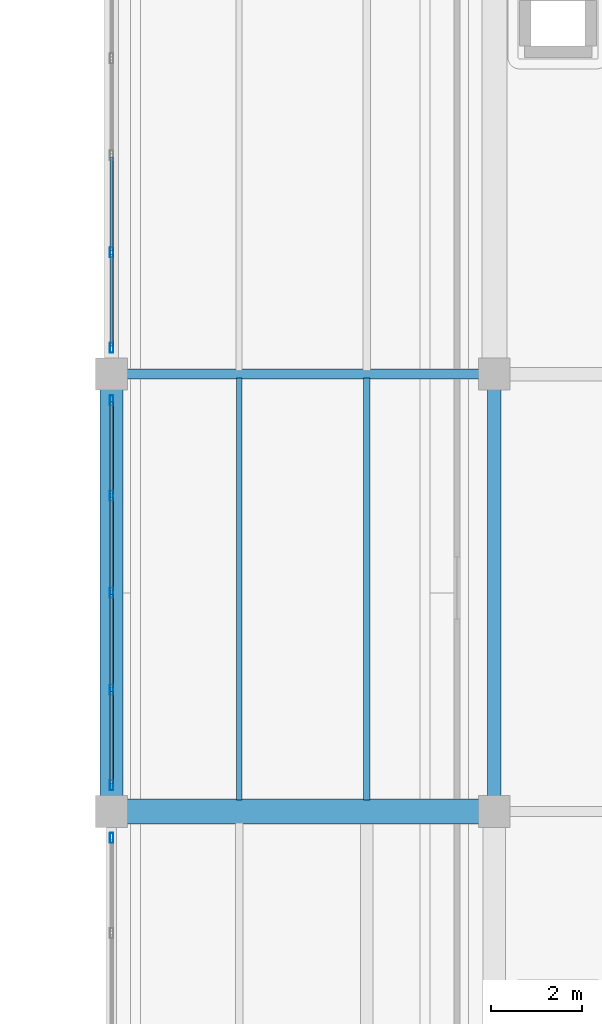
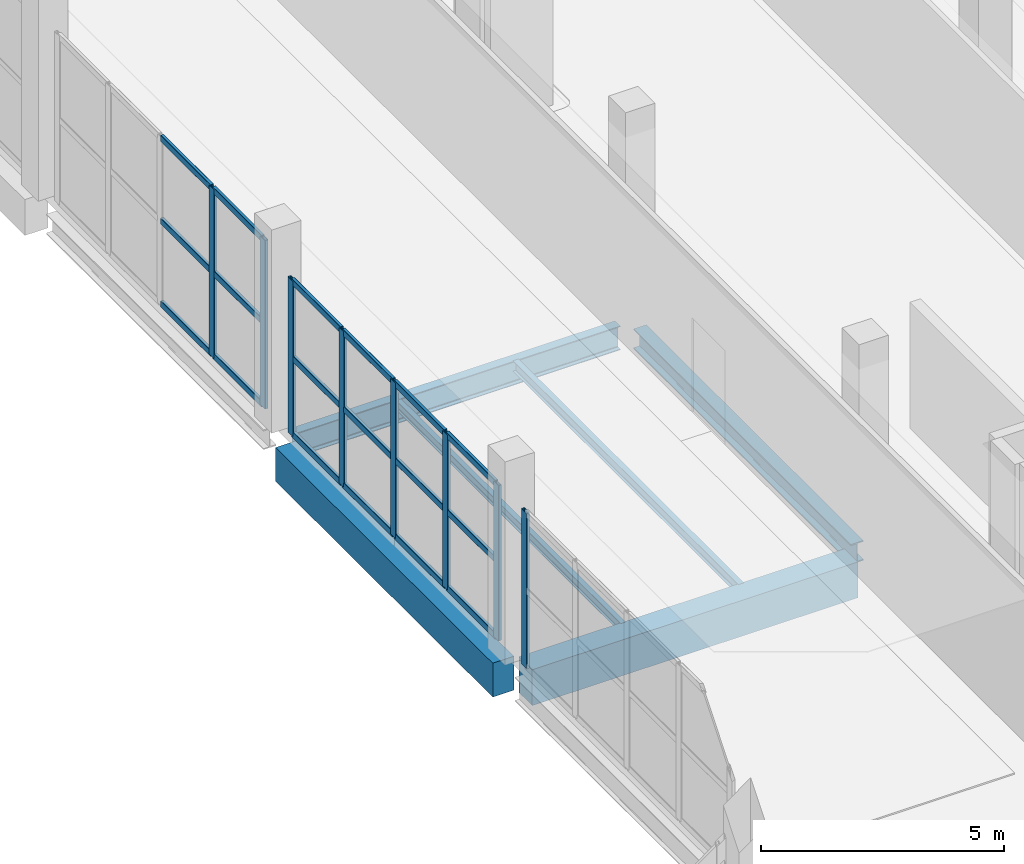
# One storey, part 25 of 73: 26 members, 6 beams, 3 elements without a shape of their own.
"""IFC4 building model written with IfcOpenShell, lengths in metres."""

from ifc_helpers import new_model, si_unit, direction, frame, origin, origin_2d, place, context, subcontext, project, spatial, rectangle, hollow_rectangle, i_section, extrude, material, layer, layer_set, material_profile, profile_set, type_object, element, aggregate, save


model = new_model("IFC4")

# Units and contexts
model_context = context("Model", 3, precision=1e-05, world=origin(), true_north=direction((0.0, 1.0)))
body_context = subcontext(model_context, "Body", "Model", "MODEL_VIEW")
ifc_project = project(units=[si_unit("LENGTHUNIT", "METRE"), si_unit("AREAUNIT", "SQUARE_METRE"), si_unit("VOLUMEUNIT", "CUBIC_METRE"), si_unit("PLANEANGLEUNIT", "RADIAN"), si_unit("MASSUNIT", "GRAM", prefix="KILO")], contexts=[model_context])

# Site, building, storey
site_placement = place(None, origin())
site = spatial("IfcSite", under=ifc_project, at=site_placement, CompositionType="ELEMENT")
building_placement = place(site_placement, origin())
building = spatial("IfcBuilding", under=site, at=building_placement, Name="Zulmaris Art Gallery", CompositionType="ELEMENT")
storey_placement = place(building_placement, frame((0.0, 0.0, 10.5)))
storey = spatial("IfcBuildingStorey", under=building, at=storey_placement, Name="L02", CompositionType="ELEMENT", Elevation=10.5)

# Beams
ifc_material_1 = material(Name="Steel S355J2", Category="steel")
ifc_material_profile_1 = material_profile(ifc_material_1, i_section(OverallWidth=0.219970703125, OverallDepth=0.60009765625, WebThickness=0.011962890625, FlangeThickness=0.01904296875, FilletRadius=0.02392578125, at=origin_2d()), Name="IPE 600")
ifc_profile_set_1 = profile_set([ifc_material_profile_1], Name="Steel S355J2")
beam_type_1 = type_object("IfcBeamType", Name="BEAM-BM07", PredefinedType="BEAM", material=ifc_profile_set_1)
beam_1_placement = place(storey_placement, frame((125.135009765625, 40.800048828125, -0.699951171875), z_axis=(1.0, 0.0, 0.0), x_axis=(0.0, 1.0, 0.0)))
element("IfcBeam", 1, at=beam_1_placement, inside=storey, type_object=beam_type_1, Name="L02 X-girder (124.8..133.2, y=40.8)", PredefinedType="BEAM", context=body_context, shape_type="SweptSolid", body=[
    extrude(i_section(OverallWidth=0.219970703125, OverallDepth=0.60009765625, WebThickness=0.011962890625, FlangeThickness=0.01904296875, FilletRadius=0.02392578125, at=origin_2d()), origin(), (0.0, 0.0, 1.0), 7.72998046875),
])
ifc_material_profile_2 = material_profile(ifc_material_1, i_section(OverallWidth=0.300048828125, OverallDepth=0.5, WebThickness=0.014404296875, FlangeThickness=0.028076171875, FilletRadius=0.027099609375, at=origin_2d()), Name="HEB 500")
ifc_profile_set_2 = profile_set([ifc_material_profile_2], Name="Steel S355J2")
beam_type_2 = type_object("IfcBeamType", Name="BEAM-BM14", PredefinedType="BEAM", material=ifc_profile_set_2)
beam_2_placement = place(storey_placement, frame((133.199951171875, 31.534912109375, -0.64990234375), z_axis=(0.0, 1.0, 0.0), x_axis=(-1.0, 0.0, 0.0)))
element("IfcBeam", 2, at=beam_2_placement, inside=storey, type_object=beam_type_2, Name="L02 Y-girder (x=133.2, 31.2..40.8)", PredefinedType="BEAM", context=body_context, shape_type="SweptSolid", body=[
    extrude(i_section(OverallWidth=0.300048828125, OverallDepth=0.5, WebThickness=0.014404296875, FlangeThickness=0.028076171875, FilletRadius=0.027099609375, at=origin_2d()), origin(), (0.0, 0.0, 1.0), 8.93017578125),
])
ifc_material_2 = material(Name="Concrete C40/50", Category="concrete")
ifc_material_profile_3 = material_profile(ifc_material_2, rectangle(XDim=0.550048828125, YDim=0.89990234375, at=origin_2d()), Name="RC 550x900")
ifc_profile_set_3 = profile_set([ifc_material_profile_3], Name="Concrete C40/50")
beam_type_3 = type_object("IfcBeamType", Name="BEAM-BM21", PredefinedType="BEAM", material=ifc_profile_set_3)
beam_3_placement = place(storey_placement, frame((125.135009765625, 31.199951171875, -0.85009765625), z_axis=(1.0, 0.0, 0.0), x_axis=(0.0, 1.0, 0.0)))
element("IfcBeam", 3, at=beam_3_placement, inside=storey, type_object=beam_type_3, Name="L02 X-girder (124.8..133.2, y=31.2)", PredefinedType="BEAM", context=body_context, shape_type="SweptSolid", body=[
    extrude(rectangle(XDim=0.550048828125, YDim=0.89990234375, at=origin_2d()), origin(), (0.0, 0.0, 1.0), 7.72998046875),
])
ifc_material_profile_4 = material_profile(ifc_material_2, rectangle(XDim=0.5, YDim=0.85009765625, at=origin_2d()), Name="RC 500x850")
ifc_profile_set_4 = profile_set([ifc_material_profile_4], Name="Concrete C40/50")
beam_type_4 = type_object("IfcBeamType", Name="BEAM-BM26", PredefinedType="BEAM", material=ifc_profile_set_4)
beam_4_placement = place(storey_placement, frame((124.800048828125, 31.534912109375, -0.824951171875), z_axis=(0.0, 1.0, 0.0), x_axis=(-1.0, 0.0, 0.0)))
element("IfcBeam", 4, at=beam_4_placement, inside=storey, type_object=beam_type_4, Name="L02 Y-girder (x=124.8, 31.2..40.8)", PredefinedType="BEAM", context=body_context, shape_type="SweptSolid", body=[
    extrude(rectangle(XDim=0.5, YDim=0.85009765625, at=origin_2d()), origin(), (0.0, 0.0, 1.0), 8.93017578125),
])
ifc_material_profile_5 = material_profile(ifc_material_1, i_section(OverallWidth=0.1201171875, OverallDepth=0.239990234375, WebThickness=0.006103515625, FlangeThickness=0.009765625, FilletRadius=0.014892578125, at=origin_2d()), Name="IPE 240")
ifc_profile_set_5 = profile_set([ifc_material_profile_5], Name="Steel S355J2")
beam_type_5 = type_object("IfcBeamType", Name="BEAM-JS01", PredefinedType="JOIST", material=ifc_profile_set_5)
beam_5_placement = place(storey_placement, frame((127.60009765625, 31.449951171875, -0.52001953125), z_axis=(0.0, 1.0, 0.0), x_axis=(-1.0, 0.0, 0.0)))
element("IfcBeam", 5, at=beam_5_placement, inside=storey, type_object=beam_type_5, Name="L02 secondary joist at x=127.6", PredefinedType="JOIST", context=body_context, shape_type="SweptSolid", body=[
    extrude(i_section(OverallWidth=0.1201171875, OverallDepth=0.239990234375, WebThickness=0.006103515625, FlangeThickness=0.009765625, FilletRadius=0.014892578125, at=origin_2d()), origin(), (0.0, 0.0, 1.0), 9.26513671875),
])
ifc_material_profile_6 = material_profile(ifc_material_1, i_section(OverallWidth=0.135009765625, OverallDepth=0.27001953125, WebThickness=0.006591796875, FlangeThickness=0.01025390625, FilletRadius=0.014892578125, at=origin_2d()), Name="IPE 270")
ifc_profile_set_6 = profile_set([ifc_material_profile_6], Name="Steel S355J2")
beam_type_6 = type_object("IfcBeamType", Name="BEAM-JS02", PredefinedType="JOIST", material=ifc_profile_set_6)
beam_6_placement = place(storey_placement, frame((130.39990234375, 31.449951171875, -0.534912109375), z_axis=(0.0, 1.0, 0.0), x_axis=(-1.0, 0.0, 0.0)))
element("IfcBeam", 6, at=beam_6_placement, inside=storey, type_object=beam_type_6, Name="L02 secondary joist at x=130.4", PredefinedType="JOIST", context=body_context, shape_type="SweptSolid", body=[
    extrude(i_section(OverallWidth=0.135009765625, OverallDepth=0.27001953125, WebThickness=0.006591796875, FlangeThickness=0.01025390625, FilletRadius=0.014892578125, at=origin_2d()), origin(), (0.0, 0.0, 1.0), 9.26513671875),
])

# Curtain wall, member
ifc_material_3 = material(Name="Unitised Low-E Gallery Curtain Wall", Category="aluminium")
ifc_layer = layer(ifc_material_3, 0.179931640625)
ifc_layer_set = layer_set([ifc_layer], Name="Unitised Low-E Gallery Curtain Wall")
curtain_wall_type = type_object("IfcCurtainWallType", Name="CW-CW01", PredefinedType="NOTDEFINED", material=ifc_layer_set)
curtain_wall_1_placement = place(storey_placement, origin())
curtain_wall_1 = element("IfcCurtainWall", 7, at=curtain_wall_1_placement, inside=storey, type_object=curtain_wall_type, Name="L02 curtain wall 110", PredefinedType="NOTDEFINED")
ifc_material_4 = material(Name="Anodised Bronze Aluminium", Category="aluminium")
ifc_material_profile_7 = material_profile(ifc_material_4, hollow_rectangle(XDim=0.074951171875, YDim=0.219970703125, WallThickness=0.0048828125, InnerFilletRadius=0.007568359375, OuterFilletRadius=0.012451171875, at=origin_2d()), Name="ALU 75x220x5")
ifc_profile_set_7 = profile_set([ifc_material_profile_7], Name="Anodised Bronze Aluminium")
member_type_1 = type_object("IfcMemberType", Name="CWMUL-02", PredefinedType="MULLION", material=ifc_profile_set_7)
member_1_placement = place(storey_placement, frame((124.800048828125, 30.62255859375, 0.0), z_axis=(0.0, 0.0, 1.0), x_axis=(-1.0, 0.0, 0.0)))
member_1 = element("IfcMember", 8, at=member_1_placement, type_object=member_type_1, Name="CW01 mullion 5", PredefinedType="MULLION", context=body_context, shape_type="SweptSolid", body=[
    extrude(hollow_rectangle(XDim=0.074951171875, YDim=0.219970703125, WallThickness=0.0048828125, InnerFilletRadius=0.007568359375, OuterFilletRadius=0.012451171875, at=origin_2d()), origin(), (0.0, 0.0, 1.0), 3.89990234375),
])
aggregate(curtain_wall_1, [member_1])

# Curtain wall, members
curtain_wall_2_placement = place(storey_placement, origin())
curtain_wall_2 = element("IfcCurtainWall", 9, at=curtain_wall_2_placement, inside=storey, type_object=curtain_wall_type, Name="L02 curtain wall 111", PredefinedType="NOTDEFINED")
member_2_placement = place(storey_placement, frame((124.800048828125, 31.777587890625, 0.0), z_axis=(0.0, 0.0, 1.0), x_axis=(-1.0, 0.0, 0.0)))
member_2 = element("IfcMember", 10, at=member_2_placement, type_object=member_type_1, Name="CW01 mullion 1", PredefinedType="MULLION", context=body_context, shape_type="SweptSolid", body=[
    extrude(hollow_rectangle(XDim=0.074951171875, YDim=0.219970703125, WallThickness=0.0048828125, InnerFilletRadius=0.007568359375, OuterFilletRadius=0.012451171875, at=origin_2d()), origin(), (0.0, 0.0, 1.0), 3.89990234375),
])
member_3_placement = place(storey_placement, frame((124.800048828125, 33.8701171875, 0.0), z_axis=(0.0, 0.0, 1.0), x_axis=(-1.0, 0.0, 0.0)))
member_3 = element("IfcMember", 11, at=member_3_placement, type_object=member_type_1, Name="CW01 mullion 2", PredefinedType="MULLION", context=body_context, shape_type="SweptSolid", body=[
    extrude(hollow_rectangle(XDim=0.074951171875, YDim=0.219970703125, WallThickness=0.0048828125, InnerFilletRadius=0.007568359375, OuterFilletRadius=0.012451171875, at=origin_2d()), origin(), (0.0, 0.0, 1.0), 3.89990234375),
])
member_4_placement = place(storey_placement, frame((124.800048828125, 36.0, 0.0), z_axis=(0.0, 0.0, 1.0), x_axis=(-1.0, 0.0, 0.0)))
member_4 = element("IfcMember", 12, at=member_4_placement, type_object=member_type_1, Name="CW01 mullion 3", PredefinedType="MULLION", context=body_context, shape_type="SweptSolid", body=[
    extrude(hollow_rectangle(XDim=0.074951171875, YDim=0.219970703125, WallThickness=0.0048828125, InnerFilletRadius=0.007568359375, OuterFilletRadius=0.012451171875, at=origin_2d()), origin(), (0.0, 0.0, 1.0), 3.89990234375),
])
member_5_placement = place(storey_placement, frame((124.800048828125, 38.1298828125, 0.0), z_axis=(0.0, 0.0, 1.0), x_axis=(-1.0, 0.0, 0.0)))
member_5 = element("IfcMember", 13, at=member_5_placement, type_object=member_type_1, Name="CW01 mullion 4", PredefinedType="MULLION", context=body_context, shape_type="SweptSolid", body=[
    extrude(hollow_rectangle(XDim=0.074951171875, YDim=0.219970703125, WallThickness=0.0048828125, InnerFilletRadius=0.007568359375, OuterFilletRadius=0.012451171875, at=origin_2d()), origin(), (0.0, 0.0, 1.0), 3.89990234375),
])
member_6_placement = place(storey_placement, frame((124.800048828125, 40.222412109375, 0.0), z_axis=(0.0, 0.0, 1.0), x_axis=(-1.0, 0.0, 0.0)))
member_6 = element("IfcMember", 14, at=member_6_placement, type_object=member_type_1, Name="CW01 mullion 5", PredefinedType="MULLION", context=body_context, shape_type="SweptSolid", body=[
    extrude(hollow_rectangle(XDim=0.074951171875, YDim=0.219970703125, WallThickness=0.0048828125, InnerFilletRadius=0.007568359375, OuterFilletRadius=0.012451171875, at=origin_2d()), origin(), (0.0, 0.0, 1.0), 3.89990234375),
])

curtain_wall_3_placement = place(storey_placement, origin())
curtain_wall_3 = element("IfcCurtainWall", 15, at=curtain_wall_3_placement, inside=storey, type_object=curtain_wall_type, Name="L02 curtain wall 112", PredefinedType="NOTDEFINED")
member_7_placement = place(storey_placement, frame((124.800048828125, 41.37744140625, 0.0), z_axis=(0.0, 0.0, 1.0), x_axis=(-1.0, 0.0, 0.0)))
member_7 = element("IfcMember", 16, at=member_7_placement, type_object=member_type_1, Name="CW01 mullion 1", PredefinedType="MULLION", context=body_context, shape_type="SweptSolid", body=[
    extrude(hollow_rectangle(XDim=0.074951171875, YDim=0.219970703125, WallThickness=0.0048828125, InnerFilletRadius=0.007568359375, OuterFilletRadius=0.012451171875, at=origin_2d()), origin(), (0.0, 0.0, 1.0), 4.22998046875),
])
member_8_placement = place(storey_placement, frame((124.800048828125, 43.469970703125, 0.0), z_axis=(0.0, 0.0, 1.0), x_axis=(-1.0, 0.0, 0.0)))
member_8 = element("IfcMember", 17, at=member_8_placement, type_object=member_type_1, Name="CW01 mullion 2", PredefinedType="MULLION", context=body_context, shape_type="SweptSolid", body=[
    extrude(hollow_rectangle(XDim=0.074951171875, YDim=0.219970703125, WallThickness=0.0048828125, InnerFilletRadius=0.007568359375, OuterFilletRadius=0.012451171875, at=origin_2d()), origin(), (0.0, 0.0, 1.0), 4.22998046875),
])

# Member
ifc_material_profile_8 = material_profile(ifc_material_4, hollow_rectangle(XDim=0.074951171875, YDim=0.159912109375, WallThickness=0.00390625, InnerFilletRadius=0.006103515625, OuterFilletRadius=0.010009765625, at=origin_2d()), Name="ALU 75x160x4")
ifc_profile_set_8 = profile_set([ifc_material_profile_8], Name="Anodised Bronze Aluminium")
member_type_2 = type_object("IfcMemberType", Name="CWTRN-02", PredefinedType="USERDEFINED", material=ifc_profile_set_8)
member_9_placement = place(storey_placement, frame((124.800048828125, 31.81494140625, 0.03759765625), z_axis=(0.0, 1.0, 0.0), x_axis=(-1.0, 0.0, 0.0)))
member_9 = element("IfcMember", 18, at=member_9_placement, type_object=member_type_2, Name="CW01 transom 1.1", ObjectType="TRANSOM", PredefinedType="USERDEFINED", context=body_context, shape_type="SweptSolid", body=[
    extrude(hollow_rectangle(XDim=0.074951171875, YDim=0.159912109375, WallThickness=0.00390625, InnerFilletRadius=0.006103515625, OuterFilletRadius=0.010009765625, at=origin_2d()), origin(), (0.0, 0.0, 1.0), 2.017578125),
])

member_10_placement = place(storey_placement, frame((124.800048828125, 31.81494140625, 1.949951171875), z_axis=(0.0, 1.0, 0.0), x_axis=(-1.0, 0.0, 0.0)))
member_10 = element("IfcMember", 19, at=member_10_placement, type_object=member_type_2, Name="CW01 transom 1.2", ObjectType="TRANSOM", PredefinedType="USERDEFINED", context=body_context, shape_type="SweptSolid", body=[
    extrude(hollow_rectangle(XDim=0.074951171875, YDim=0.159912109375, WallThickness=0.00390625, InnerFilletRadius=0.006103515625, OuterFilletRadius=0.010009765625, at=origin_2d()), origin(), (0.0, 0.0, 1.0), 2.017578125),
])

member_11_placement = place(storey_placement, frame((124.800048828125, 31.81494140625, 3.862548828125), z_axis=(0.0, 1.0, 0.0), x_axis=(-1.0, 0.0, 0.0)))
member_11 = element("IfcMember", 20, at=member_11_placement, type_object=member_type_2, Name="CW01 transom 1.3", ObjectType="TRANSOM", PredefinedType="USERDEFINED", context=body_context, shape_type="SweptSolid", body=[
    extrude(hollow_rectangle(XDim=0.074951171875, YDim=0.159912109375, WallThickness=0.00390625, InnerFilletRadius=0.006103515625, OuterFilletRadius=0.010009765625, at=origin_2d()), origin(), (0.0, 0.0, 1.0), 2.017578125),
])

member_12_placement = place(storey_placement, frame((124.800048828125, 33.907470703125, 0.03759765625), z_axis=(0.0, 1.0, 0.0), x_axis=(-1.0, 0.0, 0.0)))
member_12 = element("IfcMember", 21, at=member_12_placement, type_object=member_type_2, Name="CW01 transom 2.1", ObjectType="TRANSOM", PredefinedType="USERDEFINED", context=body_context, shape_type="SweptSolid", body=[
    extrude(hollow_rectangle(XDim=0.074951171875, YDim=0.159912109375, WallThickness=0.00390625, InnerFilletRadius=0.006103515625, OuterFilletRadius=0.010009765625, at=origin_2d()), origin(), (0.0, 0.0, 1.0), 2.054931640625),
])

member_13_placement = place(storey_placement, frame((124.800048828125, 33.907470703125, 1.949951171875), z_axis=(0.0, 1.0, 0.0), x_axis=(-1.0, 0.0, 0.0)))
member_13 = element("IfcMember", 22, at=member_13_placement, type_object=member_type_2, Name="CW01 transom 2.2", ObjectType="TRANSOM", PredefinedType="USERDEFINED", context=body_context, shape_type="SweptSolid", body=[
    extrude(hollow_rectangle(XDim=0.074951171875, YDim=0.159912109375, WallThickness=0.00390625, InnerFilletRadius=0.006103515625, OuterFilletRadius=0.010009765625, at=origin_2d()), origin(), (0.0, 0.0, 1.0), 2.054931640625),
])

member_14_placement = place(storey_placement, frame((124.800048828125, 33.907470703125, 3.862548828125), z_axis=(0.0, 1.0, 0.0), x_axis=(-1.0, 0.0, 0.0)))
member_14 = element("IfcMember", 23, at=member_14_placement, type_object=member_type_2, Name="CW01 transom 2.3", ObjectType="TRANSOM", PredefinedType="USERDEFINED", context=body_context, shape_type="SweptSolid", body=[
    extrude(hollow_rectangle(XDim=0.074951171875, YDim=0.159912109375, WallThickness=0.00390625, InnerFilletRadius=0.006103515625, OuterFilletRadius=0.010009765625, at=origin_2d()), origin(), (0.0, 0.0, 1.0), 2.054931640625),
])

member_15_placement = place(storey_placement, frame((124.800048828125, 36.03759765625, 0.03759765625), z_axis=(0.0, 1.0, 0.0), x_axis=(-1.0, 0.0, 0.0)))
member_15 = element("IfcMember", 24, at=member_15_placement, type_object=member_type_2, Name="CW01 transom 3.1", ObjectType="TRANSOM", PredefinedType="USERDEFINED", context=body_context, shape_type="SweptSolid", body=[
    extrude(hollow_rectangle(XDim=0.074951171875, YDim=0.159912109375, WallThickness=0.00390625, InnerFilletRadius=0.006103515625, OuterFilletRadius=0.010009765625, at=origin_2d()), origin(), (0.0, 0.0, 1.0), 2.054931640625),
])

member_16_placement = place(storey_placement, frame((124.800048828125, 36.03759765625, 1.949951171875), z_axis=(0.0, 1.0, 0.0), x_axis=(-1.0, 0.0, 0.0)))
member_16 = element("IfcMember", 25, at=member_16_placement, type_object=member_type_2, Name="CW01 transom 3.2", ObjectType="TRANSOM", PredefinedType="USERDEFINED", context=body_context, shape_type="SweptSolid", body=[
    extrude(hollow_rectangle(XDim=0.074951171875, YDim=0.159912109375, WallThickness=0.00390625, InnerFilletRadius=0.006103515625, OuterFilletRadius=0.010009765625, at=origin_2d()), origin(), (0.0, 0.0, 1.0), 2.054931640625),
])

member_17_placement = place(storey_placement, frame((124.800048828125, 36.03759765625, 3.862548828125), z_axis=(0.0, 1.0, 0.0), x_axis=(-1.0, 0.0, 0.0)))
member_17 = element("IfcMember", 26, at=member_17_placement, type_object=member_type_2, Name="CW01 transom 3.3", ObjectType="TRANSOM", PredefinedType="USERDEFINED", context=body_context, shape_type="SweptSolid", body=[
    extrude(hollow_rectangle(XDim=0.074951171875, YDim=0.159912109375, WallThickness=0.00390625, InnerFilletRadius=0.006103515625, OuterFilletRadius=0.010009765625, at=origin_2d()), origin(), (0.0, 0.0, 1.0), 2.054931640625),
])

member_18_placement = place(storey_placement, frame((124.800048828125, 38.16748046875, 0.03759765625), z_axis=(0.0, 1.0, 0.0), x_axis=(-1.0, 0.0, 0.0)))
member_18 = element("IfcMember", 27, at=member_18_placement, type_object=member_type_2, Name="CW01 transom 4.1", ObjectType="TRANSOM", PredefinedType="USERDEFINED", context=body_context, shape_type="SweptSolid", body=[
    extrude(hollow_rectangle(XDim=0.074951171875, YDim=0.159912109375, WallThickness=0.00390625, InnerFilletRadius=0.006103515625, OuterFilletRadius=0.010009765625, at=origin_2d()), origin(), (0.0, 0.0, 1.0), 2.017578125),
])

member_19_placement = place(storey_placement, frame((124.800048828125, 38.16748046875, 1.949951171875), z_axis=(0.0, 1.0, 0.0), x_axis=(-1.0, 0.0, 0.0)))
member_19 = element("IfcMember", 28, at=member_19_placement, type_object=member_type_2, Name="CW01 transom 4.2", ObjectType="TRANSOM", PredefinedType="USERDEFINED", context=body_context, shape_type="SweptSolid", body=[
    extrude(hollow_rectangle(XDim=0.074951171875, YDim=0.159912109375, WallThickness=0.00390625, InnerFilletRadius=0.006103515625, OuterFilletRadius=0.010009765625, at=origin_2d()), origin(), (0.0, 0.0, 1.0), 2.017578125),
])

member_20_placement = place(storey_placement, frame((124.800048828125, 38.16748046875, 3.862548828125), z_axis=(0.0, 1.0, 0.0), x_axis=(-1.0, 0.0, 0.0)))
member_20 = element("IfcMember", 29, at=member_20_placement, type_object=member_type_2, Name="CW01 transom 4.3", ObjectType="TRANSOM", PredefinedType="USERDEFINED", context=body_context, shape_type="SweptSolid", body=[
    extrude(hollow_rectangle(XDim=0.074951171875, YDim=0.159912109375, WallThickness=0.00390625, InnerFilletRadius=0.006103515625, OuterFilletRadius=0.010009765625, at=origin_2d()), origin(), (0.0, 0.0, 1.0), 2.017578125),
])

aggregate(curtain_wall_2, [member_2, member_3, member_4, member_5, member_6, member_9, member_10, member_11, member_12, member_13, member_14, member_15, member_16, member_17, member_18, member_19, member_20])

member_21_placement = place(storey_placement, frame((124.800048828125, 41.4150390625, 0.03759765625), z_axis=(0.0, 1.0, 0.0), x_axis=(-1.0, 0.0, 0.0)))
member_21 = element("IfcMember", 30, at=member_21_placement, type_object=member_type_2, Name="CW01 transom 1.1", ObjectType="TRANSOM", PredefinedType="USERDEFINED", context=body_context, shape_type="SweptSolid", body=[
    extrude(hollow_rectangle(XDim=0.074951171875, YDim=0.159912109375, WallThickness=0.00390625, InnerFilletRadius=0.006103515625, OuterFilletRadius=0.010009765625, at=origin_2d()), origin(), (0.0, 0.0, 1.0), 2.017578125),
])

member_22_placement = place(storey_placement, frame((124.800048828125, 41.4150390625, 2.114990234375), z_axis=(0.0, 1.0, 0.0), x_axis=(-1.0, 0.0, 0.0)))
member_22 = element("IfcMember", 31, at=member_22_placement, type_object=member_type_2, Name="CW01 transom 1.2", ObjectType="TRANSOM", PredefinedType="USERDEFINED", context=body_context, shape_type="SweptSolid", body=[
    extrude(hollow_rectangle(XDim=0.074951171875, YDim=0.159912109375, WallThickness=0.00390625, InnerFilletRadius=0.006103515625, OuterFilletRadius=0.010009765625, at=origin_2d()), origin(), (0.0, 0.0, 1.0), 2.017578125),
])

member_23_placement = place(storey_placement, frame((124.800048828125, 41.4150390625, 4.1923828125), z_axis=(0.0, 1.0, 0.0), x_axis=(-1.0, 0.0, 0.0)))
member_23 = element("IfcMember", 32, at=member_23_placement, type_object=member_type_2, Name="CW01 transom 1.3", ObjectType="TRANSOM", PredefinedType="USERDEFINED", context=body_context, shape_type="SweptSolid", body=[
    extrude(hollow_rectangle(XDim=0.074951171875, YDim=0.159912109375, WallThickness=0.00390625, InnerFilletRadius=0.006103515625, OuterFilletRadius=0.010009765625, at=origin_2d()), origin(), (0.0, 0.0, 1.0), 2.017578125),
])

member_24_placement = place(storey_placement, frame((124.800048828125, 43.507568359375, 0.03759765625), z_axis=(0.0, 1.0, 0.0), x_axis=(-1.0, 0.0, 0.0)))
member_24 = element("IfcMember", 33, at=member_24_placement, type_object=member_type_2, Name="CW01 transom 2.1", ObjectType="TRANSOM", PredefinedType="USERDEFINED", context=body_context, shape_type="SweptSolid", body=[
    extrude(hollow_rectangle(XDim=0.074951171875, YDim=0.159912109375, WallThickness=0.00390625, InnerFilletRadius=0.006103515625, OuterFilletRadius=0.010009765625, at=origin_2d()), origin(), (0.0, 0.0, 1.0), 2.054931640625),
])

member_25_placement = place(storey_placement, frame((124.800048828125, 43.507568359375, 2.114990234375), z_axis=(0.0, 1.0, 0.0), x_axis=(-1.0, 0.0, 0.0)))
member_25 = element("IfcMember", 34, at=member_25_placement, type_object=member_type_2, Name="CW01 transom 2.2", ObjectType="TRANSOM", PredefinedType="USERDEFINED", context=body_context, shape_type="SweptSolid", body=[
    extrude(hollow_rectangle(XDim=0.074951171875, YDim=0.159912109375, WallThickness=0.00390625, InnerFilletRadius=0.006103515625, OuterFilletRadius=0.010009765625, at=origin_2d()), origin(), (0.0, 0.0, 1.0), 2.054931640625),
])

member_26_placement = place(storey_placement, frame((124.800048828125, 43.507568359375, 4.1923828125), z_axis=(0.0, 1.0, 0.0), x_axis=(-1.0, 0.0, 0.0)))
member_26 = element("IfcMember", 35, at=member_26_placement, type_object=member_type_2, Name="CW01 transom 2.3", ObjectType="TRANSOM", PredefinedType="USERDEFINED", context=body_context, shape_type="SweptSolid", body=[
    extrude(hollow_rectangle(XDim=0.074951171875, YDim=0.159912109375, WallThickness=0.00390625, InnerFilletRadius=0.006103515625, OuterFilletRadius=0.010009765625, at=origin_2d()), origin(), (0.0, 0.0, 1.0), 2.054931640625),
])

aggregate(curtain_wall_3, [member_7, member_8, member_21, member_22, member_23, member_24, member_25, member_26])

save(model, "model.ifc")
